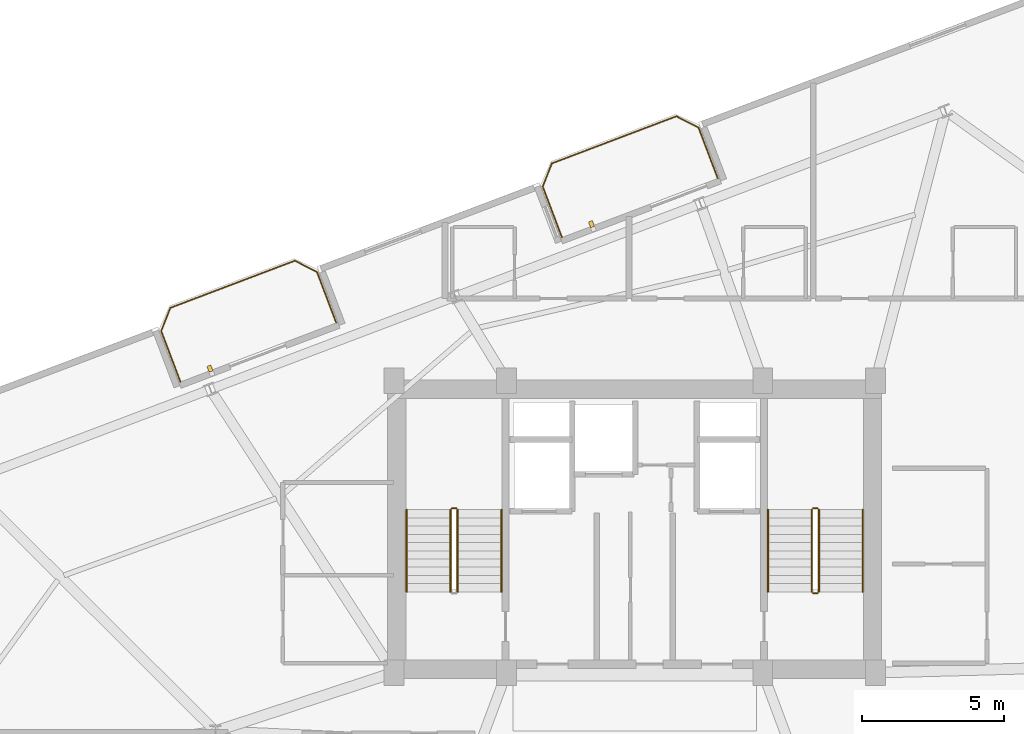
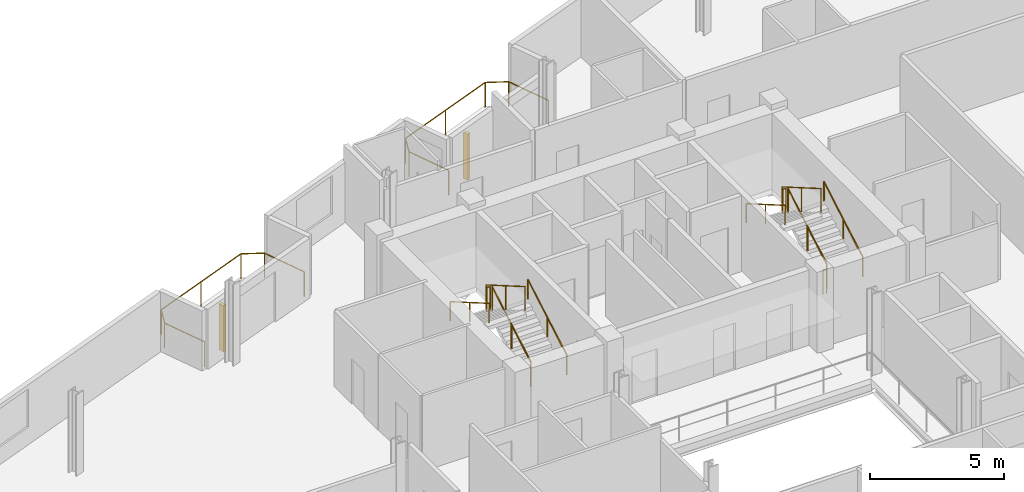
# One storey, part 20 of 20: 13 railings, 2 shading devices.
"""IFC4 building model written with IfcOpenShell, lengths in metres."""

from ifc_helpers import new_model, si_unit, direction, frame, origin, origin_2d, place, context, subcontext, project, spatial, rectangle, circle, extrude, source, transform, mapped, material, type_object, element, save


model = new_model("IFC4")

# Units and contexts
model_context = context("Model", 3, precision=1e-05, world=origin(), true_north=direction((0.0, 1.0)))
body_context = subcontext(model_context, "Body", "Model", "MODEL_VIEW")
ifc_project = project(units=[si_unit("LENGTHUNIT", "METRE"), si_unit("AREAUNIT", "SQUARE_METRE"), si_unit("VOLUMEUNIT", "CUBIC_METRE"), si_unit("PLANEANGLEUNIT", "RADIAN"), si_unit("MASSUNIT", "GRAM", prefix="KILO")], contexts=[model_context])

# Site, building, storey
site_placement = place(None, origin())
site = spatial("IfcSite", under=ifc_project, at=site_placement, CompositionType="ELEMENT")
building_placement = place(site_placement, origin())
building = spatial("IfcBuilding", under=site, at=building_placement, Name="Varnelok Gate Tower", CompositionType="ELEMENT")
storey_placement = place(building_placement, frame((0.0, 0.0, 234.89990234375)))
storey = spatial("IfcBuildingStorey", under=building, at=storey_placement, Name="L60", CompositionType="ELEMENT", Elevation=234.89990234375)

# Railings
ifc_material_1 = material(Name="Low-E Laminated Double Glazing IGU", Category="glass")
railing_type_1 = type_object("IfcRailingType", Name="RL-BALC-1150", PredefinedType="BALUSTRADE", material=ifc_material_1)
railing_1_placement = place(storey_placement, frame((23.166748046875, 39.011474609375, 0.0)))
element("IfcRailing", 1, at=railing_1_placement, inside=storey, type_object=railing_type_1, Name="L60 North Terrace Balustrade 3", PredefinedType="BALUSTRADE", context=body_context, shape_type="SweptSolid", body=[
    extrude(circle(Radius=0.02392578125, at=origin_2d()), frame((0.0, 0.0, 1.1259765625), z_axis=(-0.354159661475, 0.935184973245, 0.0), x_axis=(-0.935184973245, -0.354159661475, 0.0)), (0.0, 0.0, 1.0), 1.919921875),
    extrude(circle(Radius=0.02392578125, at=origin_2d()), frame((-0.679931640625, 1.79541015625, 1.1259765625), z_axis=(0.366495340819, 0.93041988648, 0.0), x_axis=(-0.93041988648, 0.366495340819, 0.0)), (0.0, 0.0, 1.0), 0.8779296875),
    extrude(circle(Radius=0.02392578125, at=origin_2d()), frame((-0.358154296875, 2.6123046875, 1.1259765625), z_axis=(0.935223045203, 0.354059113314, 0.0), x_axis=(-0.354059113314, 0.935223045203, 0.0)), (0.0, 0.0, 1.0), 4.699951171875),
    extrude(circle(Radius=0.02392578125, at=origin_2d()), frame((4.037353515625, 4.2763671875, 1.1259765625), z_axis=(0.89078254773, -0.454429810487, 0.0), x_axis=(0.454429810487, 0.89078254773, 0.0)), (0.0, 0.0, 1.0), 0.8779296875),
    extrude(circle(Radius=0.02392578125, at=origin_2d()), frame((4.8193359375, 3.87744140625, 1.1259765625), z_axis=(0.354006333352, -0.935243025073, 0.0), x_axis=(0.935243025073, 0.354006333352, 0.0)), (0.0, 0.0, 1.0), 1.919921875),
    extrude(circle(Radius=0.02099609375, at=origin_2d()), origin(), (0.0, 0.0, 1.0), 1.101806640625),
    extrude(circle(Radius=0.02099609375, at=origin_2d()), frame((-0.679931640625, 1.79541015625, 0.0)), (0.0, 0.0, 1.0), 1.101806640625),
    extrude(circle(Radius=0.02099609375, at=origin_2d()), frame((-0.358154296875, 2.6123046875, 0.0)), (0.0, 0.0, 1.0), 1.101806640625),
    extrude(circle(Radius=0.02099609375, at=origin_2d()), frame((1.839599609375, 3.4443359375, 0.0)), (0.0, 0.0, 1.0), 1.101806640625),
    extrude(circle(Radius=0.02099609375, at=origin_2d()), frame((4.037353515625, 4.2763671875, 0.0)), (0.0, 0.0, 1.0), 1.101806640625),
    extrude(circle(Radius=0.02099609375, at=origin_2d()), frame((4.8193359375, 3.87744140625, 0.0)), (0.0, 0.0, 1.0), 1.101806640625),
    extrude(circle(Radius=0.02099609375, at=origin_2d()), frame((5.4990234375, 2.081787109375, 0.0)), (0.0, 0.0, 1.0), 1.101806640625),
])
railing_2_placement = place(storey_placement, frame((36.6337890625, 44.10986328125, 0.0)))
element("IfcRailing", 2, at=railing_2_placement, inside=storey, type_object=railing_type_1, Name="L60 North Terrace Balustrade 4", PredefinedType="BALUSTRADE", context=body_context, shape_type="SweptSolid", body=[
    extrude(circle(Radius=0.02392578125, at=origin_2d()), frame((0.0, 0.0, 1.1259765625), z_axis=(-0.354006333352, 0.935243025073, 0.0), x_axis=(-0.935243025073, -0.354006333352, 0.0)), (0.0, 0.0, 1.0), 1.919921875),
    extrude(circle(Radius=0.02392578125, at=origin_2d()), frame((-0.6796875, 1.795654296875, 1.1259765625), z_axis=(0.366254584666, 0.930514685113, 0.0), x_axis=(-0.930514685113, 0.366254584666, 0.0)), (0.0, 0.0, 1.0), 0.8779296875),
    extrude(circle(Radius=0.02392578125, at=origin_2d()), frame((-0.358154296875, 2.612548828125, 1.1259765625), z_axis=(0.935229556479, 0.354041913744, 0.0), x_axis=(-0.354041913744, 0.935229556479, 0.0)), (0.0, 0.0, 1.0), 4.7001953125),
    extrude(circle(Radius=0.02392578125, at=origin_2d()), frame((4.03759765625, 4.276611328125, 1.1259765625), z_axis=(0.890612455555, -0.454763074589, 0.0), x_axis=(0.454763074589, 0.890612455555, 0.0)), (0.0, 0.0, 1.0), 0.877685546875),
    extrude(circle(Radius=0.02392578125, at=origin_2d()), frame((4.8193359375, 3.87744140625, 1.1259765625), z_axis=(0.354159661475, -0.935184973245, 0.0), x_axis=(0.935184973245, 0.354159661475, 0.0)), (0.0, 0.0, 1.0), 1.919921875),
    extrude(circle(Radius=0.02099609375, at=origin_2d()), origin(), (0.0, 0.0, 1.0), 1.101806640625),
    extrude(circle(Radius=0.02099609375, at=origin_2d()), frame((-0.6796875, 1.795654296875, 0.0)), (0.0, 0.0, 1.0), 1.101806640625),
    extrude(circle(Radius=0.02099609375, at=origin_2d()), frame((-0.358154296875, 2.612548828125, 0.0)), (0.0, 0.0, 1.0), 1.101806640625),
    extrude(circle(Radius=0.02099609375, at=origin_2d()), frame((1.83984375, 3.444580078125, 0.0)), (0.0, 0.0, 1.0), 1.101806640625),
    extrude(circle(Radius=0.02099609375, at=origin_2d()), frame((4.03759765625, 4.276611328125, 0.0)), (0.0, 0.0, 1.0), 1.101806640625),
    extrude(circle(Radius=0.02099609375, at=origin_2d()), frame((4.8193359375, 3.87744140625, 0.0)), (0.0, 0.0, 1.0), 1.101806640625),
    extrude(circle(Radius=0.02099609375, at=origin_2d()), frame((5.499267578125, 2.08203125, 0.0)), (0.0, 0.0, 1.0), 1.101806640625),
])
ifc_material_2 = material(Name="Brushed Stainless Steel AISI 316", Category="steel")
railing_type_2 = type_object("IfcRailingType", Name="RL-HANDRAIL-900", PredefinedType="HANDRAIL", material=ifc_material_2)
railing_3_placement = place(storey_placement, frame((34.5, 31.60009765625, 0.168212890625)))
element("IfcRailing", 3, at=railing_3_placement, inside=storey, type_object=railing_type_2, Name="L60 ST-1 stair handrail 1", PredefinedType="HANDRAIL", context=body_context, shape_type="SweptSolid", body=[
    extrude(circle(Radius=0.02392578125, at=origin_2d()), frame((0.0, 0.0, 0.8759765625), z_axis=(0.0, 0.865038774852, 0.501705010941), x_axis=(-1.0, 0.0, 0.0)), (0.0, 0.0, 1.0), 3.352294921875),
    extrude(circle(Radius=0.02099609375, at=origin_2d()), origin(), (0.0, 0.0, 1.0), 0.851806640625),
    extrude(circle(Radius=0.02099609375, at=origin_2d()), frame((0.0, 1.449951171875, 0.8408203125)), (0.0, 0.0, 1.0), 0.851806640625),
    extrude(circle(Radius=0.02099609375, at=origin_2d()), frame((0.0, 2.89990234375, 1.681884765625)), (0.0, 0.0, 1.0), 0.851806640625),
])
railing_4_placement = place(storey_placement, frame((31.14990234375, 34.5, 2.018310546875)))
element("IfcRailing", 4, at=railing_4_placement, inside=storey, type_object=railing_type_2, Name="L60 ST-1 stair handrail 2", PredefinedType="HANDRAIL", context=body_context, shape_type="SweptSolid", body=[
    extrude(circle(Radius=0.02392578125, at=origin_2d()), frame((0.0, 0.0, 0.8759765625), z_axis=(0.0, -0.865038774852, 0.501705010941), x_axis=(1.0, 0.0, 0.0)), (0.0, 0.0, 1.0), 3.352294921875),
    extrude(circle(Radius=0.02099609375, at=origin_2d()), origin(), (0.0, 0.0, 1.0), 0.851806640625),
    extrude(circle(Radius=0.02099609375, at=origin_2d()), frame((0.0, -1.449951171875, 0.8408203125)), (0.0, 0.0, 1.0), 0.851806640625),
    extrude(circle(Radius=0.02099609375, at=origin_2d()), frame((0.0, -2.89990234375, 1.681884765625)), (0.0, 0.0, 1.0), 0.851806640625),
])
railing_5_placement = place(storey_placement, frame((47.25, 31.60009765625, 0.168212890625)))
element("IfcRailing", 5, at=railing_5_placement, inside=storey, type_object=railing_type_2, Name="L60 ST-2 stair handrail 1", PredefinedType="HANDRAIL", context=body_context, shape_type="SweptSolid", body=[
    extrude(circle(Radius=0.02392578125, at=origin_2d()), frame((0.0, 0.0, 0.8759765625), z_axis=(0.0, 0.865038774852, 0.501705010941), x_axis=(-1.0, 0.0, 0.0)), (0.0, 0.0, 1.0), 3.352294921875),
    extrude(circle(Radius=0.02099609375, at=origin_2d()), origin(), (0.0, 0.0, 1.0), 0.851806640625),
    extrude(circle(Radius=0.02099609375, at=origin_2d()), frame((0.0, 1.449951171875, 0.8408203125)), (0.0, 0.0, 1.0), 0.851806640625),
    extrude(circle(Radius=0.02099609375, at=origin_2d()), frame((0.0, 2.89990234375, 1.681884765625)), (0.0, 0.0, 1.0), 0.851806640625),
])
railing_6_placement = place(storey_placement, frame((43.89990234375, 34.5, 2.018310546875)))
element("IfcRailing", 6, at=railing_6_placement, inside=storey, type_object=railing_type_2, Name="L60 ST-2 stair handrail 2", PredefinedType="HANDRAIL", context=body_context, shape_type="SweptSolid", body=[
    extrude(circle(Radius=0.02392578125, at=origin_2d()), frame((0.0, 0.0, 0.8759765625), z_axis=(0.0, -0.865038774852, 0.501705010941), x_axis=(1.0, 0.0, 0.0)), (0.0, 0.0, 1.0), 3.352294921875),
    extrude(circle(Radius=0.02099609375, at=origin_2d()), origin(), (0.0, 0.0, 1.0), 0.851806640625),
    extrude(circle(Radius=0.02099609375, at=origin_2d()), frame((0.0, -1.449951171875, 0.8408203125)), (0.0, 0.0, 1.0), 0.851806640625),
    extrude(circle(Radius=0.02099609375, at=origin_2d()), frame((0.0, -2.89990234375, 1.681884765625)), (0.0, 0.0, 1.0), 0.851806640625),
])
ifc_material_3 = material(Name="Galvanized Steel Grade S350GD", Category="steel")
railing_type_3 = type_object("IfcRailingType", Name="RL-STAIR-GUARD1120", PredefinedType="GUARDRAIL", material=ifc_material_3)
railing_7_placement = place(storey_placement, frame((32.949951171875, 31.60009765625, 0.168212890625)))
element("IfcRailing", 7, at=railing_7_placement, inside=storey, type_object=railing_type_3, Name="L60 ST-1 stair guard 1", PredefinedType="GUARDRAIL", context=body_context, shape_type="SweptSolid", body=[
    extrude(circle(Radius=0.02392578125, at=origin_2d()), frame((0.0, 0.0, 1.09619140625), z_axis=(0.0, 0.865038774852, 0.501705010941), x_axis=(-1.0, 0.0, 0.0)), (0.0, 0.0, 1.0), 3.352294921875),
    extrude(circle(Radius=0.02099609375, at=origin_2d()), origin(), (0.0, 0.0, 1.0), 1.072021484375),
    extrude(circle(Radius=0.02099609375, at=origin_2d()), frame((0.0, 1.449951171875, 0.8408203125)), (0.0, 0.0, 1.0), 1.072021484375),
    extrude(circle(Radius=0.02099609375, at=origin_2d()), frame((0.0, 2.89990234375, 1.681884765625)), (0.0, 0.0, 1.0), 1.072021484375),
])
railing_8_placement = place(storey_placement, frame((32.89990234375, 34.550048828125, 1.85009765625)))
element("IfcRailing", 8, at=railing_8_placement, inside=storey, type_object=railing_type_3, Name="L60 ST-1 stair guard 2", PredefinedType="GUARDRAIL", context=body_context, shape_type="SweptSolid", body=[
    extrude(circle(Radius=0.02392578125, at=origin_2d()), frame((0.0, 0.0, 1.09619140625), z_axis=(-1.0, 0.0, 0.0), x_axis=(0.0, -1.0, 0.0)), (0.0, 0.0, 1.0), 0.14990234375),
    extrude(circle(Radius=0.02099609375, at=origin_2d()), origin(), (0.0, 0.0, 1.0), 1.072021484375),
    extrude(circle(Radius=0.02099609375, at=origin_2d()), frame((-0.14990234375, 0.0, 0.0)), (0.0, 0.0, 1.0), 1.072021484375),
])
railing_9_placement = place(storey_placement, frame((32.699951171875, 34.5, 2.018310546875)))
element("IfcRailing", 9, at=railing_9_placement, inside=storey, type_object=railing_type_3, Name="L60 ST-1 stair guard 3", PredefinedType="GUARDRAIL", context=body_context, shape_type="SweptSolid", body=[
    extrude(circle(Radius=0.02392578125, at=origin_2d()), frame((0.0, 0.0, 1.09619140625), z_axis=(0.0, -0.865038774852, 0.501705010941), x_axis=(1.0, 0.0, 0.0)), (0.0, 0.0, 1.0), 3.352294921875),
    extrude(circle(Radius=0.02099609375, at=origin_2d()), origin(), (0.0, 0.0, 1.0), 1.072021484375),
    extrude(circle(Radius=0.02099609375, at=origin_2d()), frame((0.0, -1.449951171875, 0.8408203125)), (0.0, 0.0, 1.0), 1.072021484375),
    extrude(circle(Radius=0.02099609375, at=origin_2d()), frame((0.0, -2.89990234375, 1.681884765625)), (0.0, 0.0, 1.0), 1.072021484375),
])
railing_10_placement = place(storey_placement, frame((45.699951171875, 31.60009765625, 0.168212890625)))
element("IfcRailing", 10, at=railing_10_placement, inside=storey, type_object=railing_type_3, Name="L60 ST-2 stair guard 1", PredefinedType="GUARDRAIL", context=body_context, shape_type="SweptSolid", body=[
    extrude(circle(Radius=0.02392578125, at=origin_2d()), frame((0.0, 0.0, 1.09619140625), z_axis=(0.0, 0.865038774852, 0.501705010941), x_axis=(-1.0, 0.0, 0.0)), (0.0, 0.0, 1.0), 3.352294921875),
    extrude(circle(Radius=0.02099609375, at=origin_2d()), origin(), (0.0, 0.0, 1.0), 1.072021484375),
    extrude(circle(Radius=0.02099609375, at=origin_2d()), frame((0.0, 1.449951171875, 0.8408203125)), (0.0, 0.0, 1.0), 1.072021484375),
    extrude(circle(Radius=0.02099609375, at=origin_2d()), frame((0.0, 2.89990234375, 1.681884765625)), (0.0, 0.0, 1.0), 1.072021484375),
])
railing_11_placement = place(storey_placement, frame((45.64990234375, 34.550048828125, 1.85009765625)))
element("IfcRailing", 11, at=railing_11_placement, inside=storey, type_object=railing_type_3, Name="L60 ST-2 stair guard 2", PredefinedType="GUARDRAIL", context=body_context, shape_type="SweptSolid", body=[
    extrude(circle(Radius=0.02392578125, at=origin_2d()), frame((0.0, 0.0, 1.09619140625), z_axis=(-1.0, 0.0, 0.0), x_axis=(0.0, -1.0, 0.0)), (0.0, 0.0, 1.0), 0.14990234375),
    extrude(circle(Radius=0.02099609375, at=origin_2d()), origin(), (0.0, 0.0, 1.0), 1.072021484375),
    extrude(circle(Radius=0.02099609375, at=origin_2d()), frame((-0.14990234375, 0.0, 0.0)), (0.0, 0.0, 1.0), 1.072021484375),
])
railing_12_placement = place(storey_placement, frame((45.449951171875, 34.5, 2.018310546875)))
element("IfcRailing", 12, at=railing_12_placement, inside=storey, type_object=railing_type_3, Name="L60 ST-2 stair guard 3", PredefinedType="GUARDRAIL", context=body_context, shape_type="SweptSolid", body=[
    extrude(circle(Radius=0.02392578125, at=origin_2d()), frame((0.0, 0.0, 1.09619140625), z_axis=(0.0, -0.865038774852, 0.501705010941), x_axis=(1.0, 0.0, 0.0)), (0.0, 0.0, 1.0), 3.352294921875),
    extrude(circle(Radius=0.02099609375, at=origin_2d()), origin(), (0.0, 0.0, 1.0), 1.072021484375),
    extrude(circle(Radius=0.02099609375, at=origin_2d()), frame((0.0, -1.449951171875, 0.8408203125)), (0.0, 0.0, 1.0), 1.072021484375),
    extrude(circle(Radius=0.02099609375, at=origin_2d()), frame((0.0, -2.89990234375, 1.681884765625)), (0.0, 0.0, 1.0), 1.072021484375),
])
railing_13_placement = place(storey_placement, frame((45.64990234375, 31.550048828125, 0.0)))
element("IfcRailing", 13, at=railing_13_placement, inside=storey, type_object=railing_type_3, Name="L60 ST-2 stair guard 4", PredefinedType="GUARDRAIL", context=body_context, shape_type="SweptSolid", body=[
    extrude(circle(Radius=0.02392578125, at=origin_2d()), frame((0.0, 0.0, 1.09619140625), z_axis=(-1.0, 0.0, 0.0), x_axis=(0.0, -1.0, 0.0)), (0.0, 0.0, 1.0), 0.14990234375),
    extrude(circle(Radius=0.02099609375, at=origin_2d()), origin(), (0.0, 0.0, 1.0), 1.072021484375),
    extrude(circle(Radius=0.02099609375, at=origin_2d()), frame((-0.14990234375, 0.0, 0.0)), (0.0, 0.0, 1.0), 1.072021484375),
])

# Shading devices
ifc_material_4 = material(Name="Glazed Architectural Terracotta Ceramic", Category="masonry")
shading_device_type = type_object("IfcShadingDeviceType", Name="SHD-TERRA-BAGUETTE", PredefinedType="USERDEFINED", material=ifc_material_4)
shared_shape = source(origin(), body_context, "Body", "SweptSolid", [
    extrude(rectangle(XDim=0.139892578125, YDim=0.219970703125, at=origin_2d()), origin(), (0.0, 0.0, 1.0), 2.10009765625),
])
for number, where, z_axis, x_axis, name in (
    (14, (24.2080078125, 39.48046875, 0.10009765625), (0.0, 0.0, 1.0), (0.935221751401, 0.354062530786, 0.0), "L60 Terracotta Ceramic Baguette Sunscreen 3.1"),
    (15, (37.67529296875, 44.5791015625, 0.10009765625), (0.0, 0.0, 1.0), (0.935221751401, 0.354062530786, 0.0), "L60 Terracotta Ceramic Baguette Sunscreen 4.1"),
):
    element("IfcShadingDevice", number, at=place(storey_placement, frame(where, z_axis=z_axis, x_axis=x_axis)), inside=storey, type_object=shading_device_type, Name=name, ObjectType="BAGUETTE", PredefinedType="USERDEFINED", context=body_context, shape_type="MappedRepresentation", body=[
        mapped(shared_shape, transform((0.0, 0.0, 0.0), scale=1.0)),
    ])

save(model, "model.ifc")
